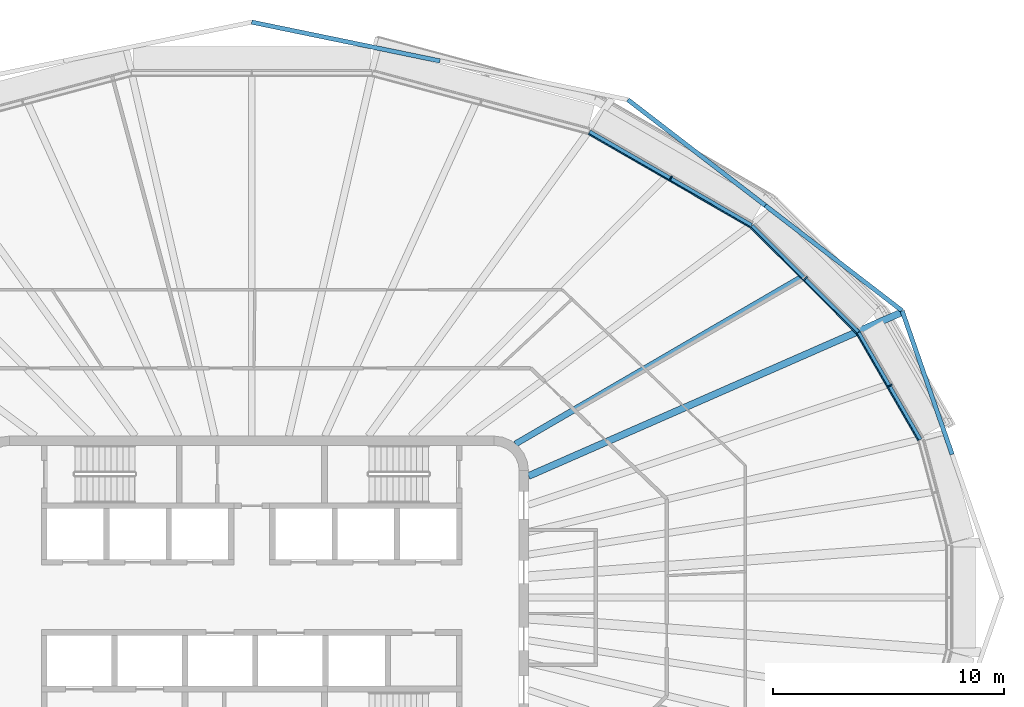
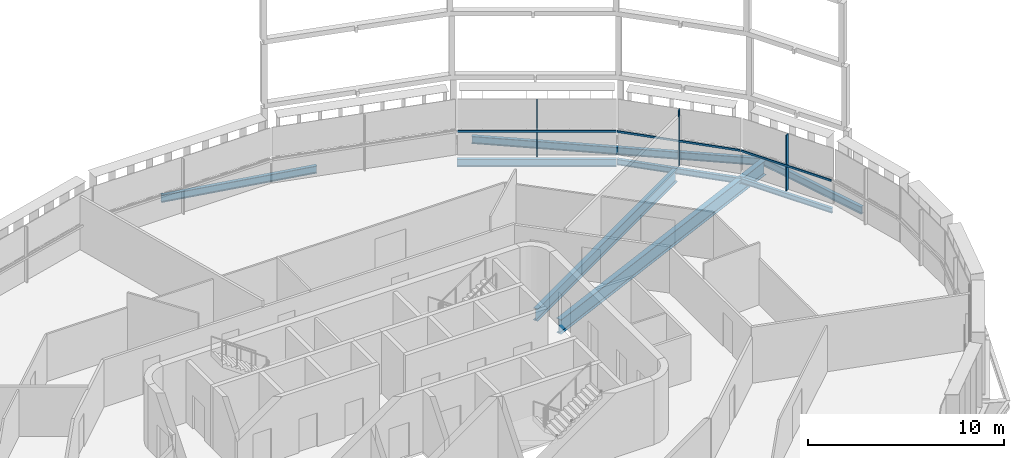
# One storey, part 8 of 20: 9 beams, 6 members, 3 elements without a shape of their own.
"""IFC4 building model written with IfcOpenShell, lengths in metres."""

from ifc_helpers import new_model, si_unit, direction, frame, origin, origin_2d, place, context, subcontext, project, spatial, rectangle, i_section, extrude, material, layer, layer_set, material_profile, profile_set, type_object, element, aggregate, save


model = new_model("IFC4")

# Units and contexts
model_context = context("Model", 3, precision=1e-05, world=origin(), true_north=direction((0.0, 1.0)))
body_context = subcontext(model_context, "Body", "Model", "MODEL_VIEW")
ifc_project = project(units=[si_unit("LENGTHUNIT", "METRE"), si_unit("AREAUNIT", "SQUARE_METRE"), si_unit("VOLUMEUNIT", "CUBIC_METRE"), si_unit("PLANEANGLEUNIT", "RADIAN"), si_unit("MASSUNIT", "GRAM", prefix="KILO")], contexts=[model_context])

# Site, building, storey
site_placement = place(None, origin())
site = spatial("IfcSite", under=ifc_project, at=site_placement, CompositionType="ELEMENT")
building_placement = place(site_placement, origin())
building = spatial("IfcBuilding", under=site, at=building_placement, Name="Sahrelin Media Tower", CompositionType="ELEMENT")
storey_placement = place(building_placement, frame((0.0, 0.0, 255.0)))
storey = spatial("IfcBuildingStorey", under=building, at=storey_placement, Name="L55", CompositionType="ELEMENT", Elevation=255.0)

# Beams
ifc_material_1 = material(Name="Steel S355", Category="steel")
ifc_material_profile_1 = material_profile(ifc_material_1, i_section(OverallWidth=0.1650390625, OverallDepth=0.303466796875, WebThickness=0.006103515625, FlangeThickness=0.01025390625, FilletRadius=0.0087890625, at=origin_2d()), Name="UB 305x165x40")
ifc_profile_set_1 = profile_set([ifc_material_profile_1], Name="Steel S355")
beam_type_1 = type_object("IfcBeamType", Name="Edge beam EB2", PredefinedType="BEAM", material=ifc_profile_set_1)
beam_1_placement = place(storey_placement, frame((26.315673828125, 11.488037109375, -0.3017578125), z_axis=(0.500040680786, -0.866001915448, 0.0), x_axis=(0.866001915448, 0.500040680786, 0.0)))
element("IfcBeam", 1, at=beam_1_placement, inside=storey, type_object=beam_type_1, Name="Edge beam L55-23", PredefinedType="BEAM", context=body_context, shape_type="SweptSolid", body=[
    extrude(i_section(OverallWidth=0.1650390625, OverallDepth=0.303466796875, WebThickness=0.006103515625, FlangeThickness=0.01025390625, FilletRadius=0.0087890625, at=origin_2d()), origin(), (0.0, 0.0, 1.0), 5.35693359375),
])
ifc_material_profile_2 = material_profile(ifc_material_1, i_section(OverallWidth=0.17138671875, OverallDepth=0.35498046875, WebThickness=0.00732421875, FlangeThickness=0.011474609375, FilletRadius=0.01025390625, at=origin_2d()), Name="UB 356x171x51")
ifc_profile_set_2 = profile_set([ifc_material_profile_2], Name="Steel S355")
beam_type_2 = type_object("IfcBeamType", Name="Edge beam EB3", PredefinedType="BEAM", material=ifc_profile_set_2)
beam_2_placement = place(storey_placement, frame((21.694580078125, 16.11474609375, -0.327392578125), z_axis=(0.707088031255, -0.707125530621, 0.0), x_axis=(0.707125530621, 0.707088031255, 0.0)))
element("IfcBeam", 2, at=beam_2_placement, inside=storey, type_object=beam_type_2, Name="Edge beam L55-22", PredefinedType="BEAM", context=body_context, shape_type="SweptSolid", body=[
    extrude(i_section(OverallWidth=0.17138671875, OverallDepth=0.35498046875, WebThickness=0.00732421875, FlangeThickness=0.011474609375, FilletRadius=0.01025390625, at=origin_2d()), origin(), (0.0, 0.0, 1.0), 6.510498046875),
])
ifc_material_profile_3 = material_profile(ifc_material_1, i_section(OverallWidth=0.1904296875, OverallDepth=0.45703125, WebThickness=0.009033203125, FlangeThickness=0.014404296875, FilletRadius=0.01025390625, at=origin_2d()), Name="UB 457x191x74")
ifc_profile_set_3 = profile_set([ifc_material_profile_3], Name="Steel S355")
beam_type_3 = type_object("IfcBeamType", Name="Edge beam EB5", PredefinedType="BEAM", material=ifc_profile_set_3)
beam_3_placement = place(storey_placement, frame((14.64697265625, 20.18798828125, -0.37841796875), z_axis=(0.866013664775, -0.500020332009, 0.0), x_axis=(0.500020332009, 0.866013664775, 0.0)))
element("IfcBeam", 3, at=beam_3_placement, inside=storey, type_object=beam_type_3, Name="Edge beam L55-21", PredefinedType="BEAM", context=body_context, shape_type="SweptSolid", body=[
    extrude(i_section(OverallWidth=0.1904296875, OverallDepth=0.45703125, WebThickness=0.009033203125, FlangeThickness=0.014404296875, FilletRadius=0.01025390625, at=origin_2d()), origin(), (0.0, 0.0, 1.0), 8.111572265625),
])

# Curtain wall, member
ifc_material_2 = material(Name="Champagne anodised aluminium 6063-T6", Category="aluminium")
ifc_layer = layer(ifc_material_2, 0.14990234375)
ifc_layer_set = layer_set([ifc_layer], Name="Tower ribbon curtain wall")
curtain_wall_type = type_object("IfcCurtainWallType", Name="Tower ribbon curtain wall", PredefinedType="NOTDEFINED", material=ifc_layer_set)
curtain_wall_1_placement = place(storey_placement, frame((27.784912109375, 9.243408203125, 0.0), z_axis=(0.0, 0.0, 1.0), x_axis=(1.0, 0.0, 0.0)))
curtain_wall_1 = element("IfcCurtainWall", 4, at=curtain_wall_1_placement, inside=storey, type_object=curtain_wall_type, Name="L55:CW:L55-02", PredefinedType="NOTDEFINED")
ifc_material_profile_4 = material_profile(ifc_material_2, rectangle(XDim=0.06005859375, YDim=0.199951171875, at=origin_2d()), Name="Mullion 60x200")
ifc_profile_set_4 = profile_set([ifc_material_profile_4], Name="Champagne anodised aluminium 6063-T6")
member_type_1 = type_object("IfcMemberType", Name="Mullion 60x200 CW1C", PredefinedType="MULLION", material=ifc_profile_set_4)
member_1_placement = place(storey_placement, frame((27.680908203125, 9.183349609375, 0.0), z_axis=(0.0, 0.0, 1.0), x_axis=(-0.5, 0.866025403784, 0.0)))
member_1 = element("IfcMember", 5, at=member_1_placement, type_object=member_type_1, Name="L55:CWM:L55-02", PredefinedType="MULLION", context=body_context, shape_type="SweptSolid", body=[
    extrude(rectangle(XDim=0.06005859375, YDim=0.199951171875, at=origin_2d()), origin(), (0.0, 0.0, 1.0), 3.448486328125),
])

curtain_wall_2_placement = place(storey_placement, frame((24.102294921875, 13.9189453125, 0.0), z_axis=(0.0, 0.0, 1.0), x_axis=(1.0, 0.0, 0.0)))
curtain_wall_2 = element("IfcCurtainWall", 6, at=curtain_wall_2_placement, inside=storey, type_object=curtain_wall_type, Name="L55:CW:L55-03", PredefinedType="NOTDEFINED")
member_2_placement = place(storey_placement, frame((24.017578125, 13.833984375, 0.0), z_axis=(0.0, 0.0, 1.0), x_axis=(-0.707106781187, 0.707106781187, 0.0)))
member_2 = element("IfcMember", 7, at=member_2_placement, type_object=member_type_1, Name="L55:CWM:L55-03", PredefinedType="MULLION", context=body_context, shape_type="SweptSolid", body=[
    extrude(rectangle(XDim=0.06005859375, YDim=0.199951171875, at=origin_2d()), origin(), (0.0, 0.0, 1.0), 3.448486328125),
])

curtain_wall_3_placement = place(storey_placement, frame((18.234375, 18.2900390625, 0.0), z_axis=(0.0, 0.0, 1.0), x_axis=(1.0, 0.0, 0.0)))
curtain_wall_3 = element("IfcCurtainWall", 8, at=curtain_wall_3_placement, inside=storey, type_object=curtain_wall_type, Name="L55:CW:L55-04", PredefinedType="NOTDEFINED")
member_3_placement = place(storey_placement, frame((18.17431640625, 18.18603515625, 0.0), z_axis=(0.0, 0.0, 1.0), x_axis=(-0.866022785779, 0.500004534492, 0.0)))
member_3 = element("IfcMember", 9, at=member_3_placement, type_object=member_type_1, Name="L55:CWM:L55-04", PredefinedType="MULLION", context=body_context, shape_type="SweptSolid", body=[
    extrude(rectangle(XDim=0.06005859375, YDim=0.199951171875, at=origin_2d()), origin(), (0.0, 0.0, 1.0), 3.448486328125),
])

# Beams
ifc_material_profile_5 = material_profile(ifc_material_1, i_section(OverallWidth=0.30322265625, OverallDepth=0.903076171875, WebThickness=0.01513671875, FlangeThickness=0.020263671875, FilletRadius=0.01904296875, at=origin_2d()), Name="UB 914x305x201")
ifc_profile_set_5 = profile_set([ifc_material_profile_5], Name="Steel S355")
beam_type_4 = type_object("IfcBeamType", Name="Radial primary beam PB11", PredefinedType="BEAM", material=ifc_profile_set_5)
beam_4_placement = place(storey_placement, frame((12.0, 5.263916015625, -0.6015625), z_axis=(0.915775333044, 0.401690850515, 0.0), x_axis=(-0.401690850515, 0.915775333044, 0.0)))
element("IfcBeam", 10, at=beam_4_placement, inside=storey, type_object=beam_type_4, Name="Radial beam L55-03", PredefinedType="BEAM", context=body_context, shape_type="SweptSolid", body=[
    extrude(i_section(OverallWidth=0.30322265625, OverallDepth=0.903076171875, WebThickness=0.01513671875, FlangeThickness=0.020263671875, FilletRadius=0.01904296875, at=origin_2d()), origin(), (0.0, 0.0, 1.0), 17.620849609375),
])
ifc_material_profile_6 = material_profile(ifc_material_1, i_section(OverallWidth=0.26513671875, OverallDepth=0.75390625, WebThickness=0.0126953125, FlangeThickness=0.017578125, FilletRadius=0.0166015625, at=origin_2d()), Name="UB 762x267x147")
ifc_profile_set_6 = profile_set([ifc_material_profile_6], Name="Steel S355")
beam_type_5 = type_object("IfcBeamType", Name="Radial secondary beam SB9", PredefinedType="BEAM", material=ifc_profile_set_6)
beam_5_placement = place(storey_placement, frame((11.435546875, 6.65673828125, -0.527099609375), z_axis=(0.86424748062, 0.503066886449, 0.0), x_axis=(-0.503066886449, 0.86424748062, 0.0)))
element("IfcBeam", 11, at=beam_5_placement, inside=storey, type_object=beam_type_5, Name="Secondary beam L55-03", PredefinedType="BEAM", context=body_context, shape_type="SweptSolid", body=[
    extrude(i_section(OverallWidth=0.26513671875, OverallDepth=0.75390625, WebThickness=0.0126953125, FlangeThickness=0.017578125, FilletRadius=0.0166015625, at=origin_2d()), origin(), (0.0, 0.0, 1.0), 14.33154296875),
])
ifc_material_profile_7 = material_profile(ifc_material_1, i_section(OverallWidth=0.1904296875, OverallDepth=0.45703125, WebThickness=0.009033203125, FlangeThickness=0.014404296875, FilletRadius=0.01025390625, at=origin_2d()), Name="UB 457x191x74")
ifc_profile_set_7 = profile_set([ifc_material_profile_7], Name="Steel S355")
beam_type_6 = type_object("IfcBeamType", Name="Tie chord TC5", PredefinedType="BEAM", material=ifc_profile_set_7)
beam_6_placement = place(storey_placement, frame((0.0, 24.950439453125, -0.37841796875), z_axis=(0.979377314884, -0.202039785911, 0.0), x_axis=(0.202039785911, 0.979377314884, 0.0)))
element("IfcBeam", 12, at=beam_6_placement, inside=storey, type_object=beam_type_6, Name="Tie chord L55-19", PredefinedType="BEAM", context=body_context, shape_type="SweptSolid", body=[
    extrude(i_section(OverallWidth=0.1904296875, OverallDepth=0.45703125, WebThickness=0.009033203125, FlangeThickness=0.014404296875, FilletRadius=0.01025390625, at=origin_2d()), origin(), (0.0, 0.0, 1.0), 8.3330078125),
])
beam_7_placement = place(storey_placement, frame((16.311767578125, 21.586181640625, -0.37841796875), z_axis=(0.79247670773, -0.609902178801, 0.0), x_axis=(0.609902178801, 0.79247670773, 0.0)))
element("IfcBeam", 13, at=beam_7_placement, inside=storey, type_object=beam_type_6, Name="Tie chord L55-21", PredefinedType="BEAM", context=body_context, shape_type="SweptSolid", body=[
    extrude(i_section(OverallWidth=0.1904296875, OverallDepth=0.45703125, WebThickness=0.009033203125, FlangeThickness=0.014404296875, FilletRadius=0.01025390625, at=origin_2d()), origin(), (0.0, 0.0, 1.0), 7.51904296875),
])
beam_8_placement = place(storey_placement, frame((22.2705078125, 17.000244140625, -0.37841796875), z_axis=(0.792439782885, -0.609950154112, 0.0), x_axis=(0.609950154112, 0.792439782885, 0.0)))
element("IfcBeam", 14, at=beam_8_placement, inside=storey, type_object=beam_type_6, Name="Tie chord L55-22", PredefinedType="BEAM", context=body_context, shape_type="SweptSolid", body=[
    extrude(i_section(OverallWidth=0.1904296875, OverallDepth=0.45703125, WebThickness=0.009033203125, FlangeThickness=0.014404296875, FilletRadius=0.01025390625, at=origin_2d()), origin(), (0.0, 0.0, 1.0), 7.490478515625),
])
beam_9_placement = place(storey_placement, frame((28.206298828125, 12.431396484375, -0.37841796875), z_axis=(0.328710220354, -0.944430829143, 0.0), x_axis=(0.944430829143, 0.328710220354, 0.0)))
element("IfcBeam", 15, at=beam_9_placement, inside=storey, type_object=beam_type_6, Name="Tie chord L55-23", PredefinedType="BEAM", context=body_context, shape_type="SweptSolid", body=[
    extrude(i_section(OverallWidth=0.1904296875, OverallDepth=0.45703125, WebThickness=0.009033203125, FlangeThickness=0.014404296875, FilletRadius=0.01025390625, at=origin_2d()), origin(), (0.0, 0.0, 1.0), 6.592529296875),
])

# Member
ifc_material_profile_8 = material_profile(ifc_material_2, rectangle(XDim=0.050048828125, YDim=0.1201171875, at=origin_2d()), Name="Transom 50x120")
ifc_profile_set_8 = profile_set([ifc_material_profile_8], Name="Champagne anodised aluminium 6063-T6")
member_type_2 = type_object("IfcMemberType", Name="Transom 50x120 CW1C", PredefinedType="USERDEFINED", material=ifc_profile_set_8)
member_4_placement = place(storey_placement, frame((28.904052734375, 6.81494140625, 1.60009765625), z_axis=(-0.500009491695, 0.866019923683, 0.0), x_axis=(-0.866019923683, -0.500009491695, 0.0)))
member_4 = element("IfcMember", 16, at=member_4_placement, type_object=member_type_2, Name="L55:CWT:L55-02", ObjectType="TRANSOM", PredefinedType="USERDEFINED", context=body_context, shape_type="SweptSolid", body=[
    extrude(rectangle(XDim=0.050048828125, YDim=0.1201171875, at=origin_2d()), origin(), (0.0, 0.0, 1.0), 5.32568359375),
])

aggregate(curtain_wall_1, [member_1, member_4])

member_5_placement = place(storey_placement, frame((26.219970703125, 11.454833984375, 1.60009765625), z_axis=(-0.707106781187, 0.707106781187, 0.0), x_axis=(-0.707106781187, -0.707106781187, 0.0)))
member_5 = element("IfcMember", 17, at=member_5_placement, type_object=member_type_2, Name="L55:CWT:L55-03", ObjectType="TRANSOM", PredefinedType="USERDEFINED", context=body_context, shape_type="SweptSolid", body=[
    extrude(rectangle(XDim=0.050048828125, YDim=0.1201171875, at=origin_2d()), origin(), (0.0, 0.0, 1.0), 6.479248046875),
])

aggregate(curtain_wall_2, [member_2, member_5])

member_6_placement = place(storey_placement, frame((21.610595703125, 16.057861328125, 1.60009765625), z_axis=(-0.866025579307, 0.499999695987, 0.0), x_axis=(-0.499999695987, -0.866025579307, 0.0)))
member_6 = element("IfcMember", 18, at=member_6_placement, type_object=member_type_2, Name="L55:CWT:L55-04", ObjectType="TRANSOM", PredefinedType="USERDEFINED", context=body_context, shape_type="SweptSolid", body=[
    extrude(rectangle(XDim=0.050048828125, YDim=0.1201171875, at=origin_2d()), origin(), (0.0, 0.0, 1.0), 8.080078125),
])

aggregate(curtain_wall_3, [member_3, member_6])

save(model, "model.ifc")
